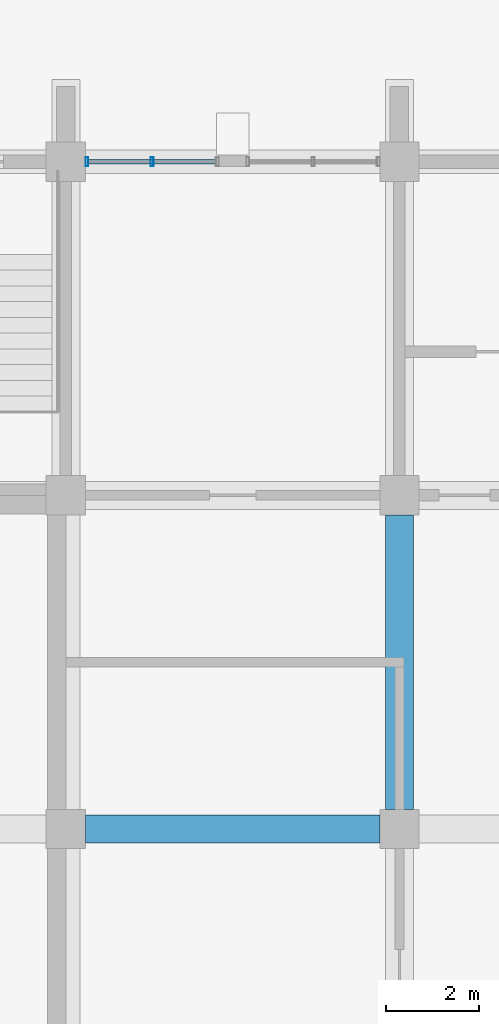
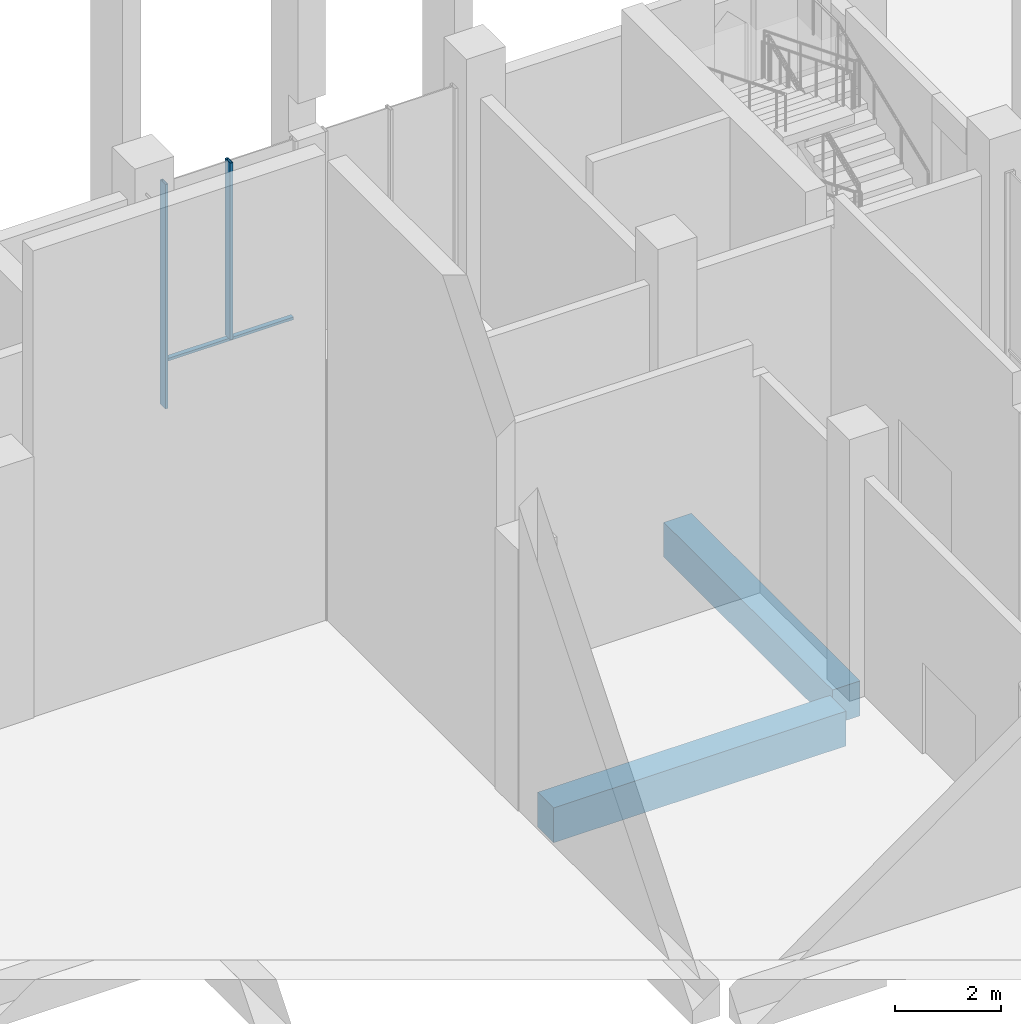
# One storey, part 23 of 50: 3 members, 2 beams, 1 element without a shape of its own.
"""IFC4 building model written with IfcOpenShell, lengths in metres."""

import ifcopenshell
import ifcopenshell.guid

model = None  # the IFC model being written
_history = None  # IfcOwnerHistory: only IFC2X3 demands one
_inside = {}  # id of a spatial element -> (the spatial element, [elements in it])
_under = {}  # id of a project, library or spatial element -> (it, [spatial elements below it])
_declared = {}  # id of a project -> (the project, [libraries it declares])
_typed = {}  # id of a type object -> (the type object, [elements of that type])
_made_of = {}  # id of a material, layer set ... -> (it, [elements and type objects made of it])


def new_model(schema):
    """Start an empty IFC model of exactly this schema.

    Asked for "IFC4X3", IfcOpenShell would pick the latest addendum, in which some entities
    have other attributes; the version numbers below select the first issue.
    IFC2X3 requires an IfcOwnerHistory on every rooted entity: one is made here for all.
    """
    global model, _history
    if schema == "IFC4X3":
        model = ifcopenshell.file(schema_version=(4, 3, 0, 0))
    else:
        model = ifcopenshell.file(schema=schema)
    _inside.clear()
    _under.clear()
    _declared.clear()
    _typed.clear()
    _made_of.clear()
    _history = None
    if model.schema == "IFC2X3":
        org = make("IfcOrganization", Name="unknown")
        user = make(
            "IfcPersonAndOrganization",
            ThePerson=make("IfcPerson", FamilyName="unknown"),
            TheOrganization=org,
        )
        app = make(
            "IfcApplication",
            ApplicationDeveloper=org,
            Version="unknown",
            ApplicationFullName="unknown",
            ApplicationIdentifier="unknown",
        )
        _history = make(
            "IfcOwnerHistory",
            OwningUser=user,
            OwningApplication=app,
            ChangeAction="ADDED",
            CreationDate=0,
        )
    return model


def make(cls, **values):
    """One entity of the class cls with the attributes given. An attribute that is None is left unset."""
    return model.create_entity(
        cls, **{name: value for name, value in values.items() if value is not None}
    )


def rooted(cls, **values):
    """An entity with a GlobalId (a new one), such as an element, a storey or a relation."""
    return make(cls, GlobalId=ifcopenshell.guid.new(), OwnerHistory=_history, **values)


def si_unit(unit_type, name, prefix=None):
    """IfcSIUnit, for example si_unit("LENGTHUNIT", "METRE", prefix="MILLI")."""
    return make("IfcSIUnit", UnitType=unit_type, Prefix=prefix, Name=name)


def assignment(units):
    """IfcUnitAssignment: the units of a project."""
    return None if units is None else make("IfcUnitAssignment", Units=units)


def point(xyz):
    """IfcCartesianPoint."""
    return None if xyz is None else make("IfcCartesianPoint", Coordinates=xyz)


def direction(xyz):
    """IfcDirection."""
    return None if xyz is None else make("IfcDirection", DirectionRatios=xyz)


def frame(location, z_axis=None, x_axis=None):
    """IfcAxis2Placement3D, a coordinate frame: its origin and axes. An axis left out is left unset."""
    return make(
        "IfcAxis2Placement3D",
        Location=point(location),
        Axis=direction(z_axis),
        RefDirection=direction(x_axis),
    )


def frame_2d(location, x_axis=None):
    """IfcAxis2Placement2D, a coordinate frame in the plane: its origin and x axis."""
    return make(
        "IfcAxis2Placement2D", Location=point(location), RefDirection=direction(x_axis)
    )


def origin():
    """The frame at (0, 0, 0) with its axes left unset."""
    return frame((0.0, 0.0, 0.0))


def origin_2d():
    """The frame at (0, 0) in the plane with its x axis left unset."""
    return frame_2d((0.0, 0.0))


def place(relative_to, where):
    """IfcLocalPlacement: puts the frame where relative to a parent placement (None: the world)."""
    return make(
        "IfcLocalPlacement", PlacementRelTo=relative_to, RelativePlacement=where
    )


def context(
    kind, dimensions, precision=None, world=None, true_north=None, identifier=None
):
    """IfcGeometricRepresentationContext, for example the 3D "Model" context."""
    return make(
        "IfcGeometricRepresentationContext",
        ContextIdentifier=identifier,
        ContextType=kind,
        CoordinateSpaceDimension=dimensions,
        Precision=precision,
        WorldCoordinateSystem=world,
        TrueNorth=true_north,
    )


def subcontext(parent, identifier, kind, view, scale=None):
    """IfcGeometricRepresentationSubContext, for example "Body" below "Model"."""
    return make(
        "IfcGeometricRepresentationSubContext",
        ContextIdentifier=identifier,
        ContextType=kind,
        ParentContext=parent,
        TargetScale=scale,
        TargetView=view,
    )


def project(units=None, contexts=None):
    """IfcProject with its units and contexts."""
    return rooted(
        "IfcProject",
        Name="project",
        RepresentationContexts=contexts,
        UnitsInContext=assignment(units),
    )


def spatial(cls, under=None, at=None, **own):
    """A site, building, storey or space (cls), placed at a placement, below another one or the project."""
    s = rooted(cls, ObjectPlacement=at, **own)
    if under is not None:
        _under.setdefault(under.id(), (under, []))[1].append(s)
    return s


def profile(cls, at=None, kind="AREA", **sizes):
    """A parametric profile (cls). Its sizes go by their IFC names, for example OverallWidth=200.0."""
    return make(cls, ProfileType=kind, Position=at, **sizes)


def rectangle(**sizes):
    """IfcRectangleProfileDef."""
    return profile("IfcRectangleProfileDef", **sizes)


def hollow_rectangle(**sizes):
    """IfcRectangleHollowProfileDef."""
    return profile("IfcRectangleHollowProfileDef", **sizes)


def extrude(swept, where, along, depth):
    """IfcExtrudedAreaSolid: the profile swept, set in the frame where, extruded along a direction by depth."""
    return make(
        "IfcExtrudedAreaSolid",
        SweptArea=swept,
        Position=where,
        ExtrudedDirection=direction(along),
        Depth=depth,
    )


def shape(context_of_items, identifier, shape_type, items):
    """IfcShapeRepresentation: the items that make up one representation, for example the "Body"."""
    return make(
        "IfcShapeRepresentation",
        ContextOfItems=context_of_items,
        RepresentationIdentifier=identifier,
        RepresentationType=shape_type,
        Items=items,
    )


def material(Name=None, Category=None):
    """IfcMaterial."""
    return make("IfcMaterial", Name=Name, Category=Category)


def material_profile(
    of_material, cross_section, Name=None, Category=None, Priority=None
):
    """IfcMaterialProfile: a cross section and its material."""
    return make(
        "IfcMaterialProfile",
        Name=Name,
        Material=of_material,
        Profile=cross_section,
        Priority=Priority,
        Category=Category,
    )


def profile_set(profiles, Name=None, composite=None):
    """IfcMaterialProfileSet."""
    return make(
        "IfcMaterialProfileSet",
        Name=Name,
        MaterialProfiles=profiles,
        CompositeProfile=composite,
    )


def made_of(thing, what):
    """Note that an element or type object is made of a material, layer set ...; save() writes the relation."""
    if what is not None:
        _made_of.setdefault(what.id(), (what, []))[1].append(thing)
    return thing


def type_object(cls, material=None, **own):
    """A type object (cls), such as IfcWallType, which elements share."""
    return made_of(rooted(cls, **own), material)


def element(
    cls,
    number,
    at=None,
    inside=None,
    cuts=None,
    type_object=None,
    material=None,
    context=None,
    identifier="Body",
    shape_type=None,
    held_by="IfcProductDefinitionShape",
    body=None,
    shapes=None,
    **own,
):
    """One element of the class cls, such as IfcWall. Its Tag is "e" and its number.

    at: its placement. inside: the storey or other place that contains it. cuts: it is an
    opening in that element (IfcRelVoidsElement). A single representation is given by context,
    identifier, shape_type and body (its items); several are given by shapes. held_by: the class
    of the entity that holds the representations. save() writes the other relations.
    """
    e = rooted(cls, Tag="e%d" % number, ObjectPlacement=at, **own)
    if body is not None:
        shapes = [shape(context, identifier, shape_type, body)]
    if shapes is not None:
        e.Representation = make(held_by, Representations=shapes)
    if inside is not None:
        _inside.setdefault(inside.id(), (inside, []))[1].append(e)
    if cuts is not None:
        rooted(
            "IfcRelVoidsElement", RelatingBuildingElement=cuts, RelatedOpeningElement=e
        )
    if type_object is not None:
        _typed.setdefault(type_object.id(), (type_object, []))[1].append(e)
    return made_of(e, material)


def aggregate(whole, parts):
    """IfcRelAggregates: a whole, such as a stair, and the parts it consists of."""
    return rooted("IfcRelAggregates", RelatingObject=whole, RelatedObjects=parts)


def save(model, path):
    """Write the relations noted so far, then the file.

    IfcRelAggregates (storeys below a building ...), IfcRelContainedInSpatialStructure (elements
    in a storey), IfcRelDefinesByType, IfcRelAssociatesMaterial and IfcRelDeclares: one each for
    every whole, place, type object, material and project.
    """
    for whole, parts in _under.values():
        aggregate(whole, parts)
    for where, things in _inside.values():
        rooted(
            "IfcRelContainedInSpatialStructure",
            RelatedElements=things,
            RelatingStructure=where,
        )
    for kind, things in _typed.values():
        rooted("IfcRelDefinesByType", RelatedObjects=things, RelatingType=kind)
    for what, things in _made_of.values():
        rooted("IfcRelAssociatesMaterial", RelatedObjects=things, RelatingMaterial=what)
    for by, libraries in _declared.values():
        rooted("IfcRelDeclares", RelatingContext=by, RelatedDefinitions=libraries)
    model.write(path)


model = new_model("IFC4")

# Units and contexts
model_context = context("Model", 3, precision=1e-05, world=origin(), true_north=direction((0.0, 1.0)))
body_context = subcontext(model_context, "Body", "Model", "MODEL_VIEW")
ifc_project = project(units=[si_unit("LENGTHUNIT", "METRE"), si_unit("AREAUNIT", "SQUARE_METRE"), si_unit("VOLUMEUNIT", "CUBIC_METRE"), si_unit("PLANEANGLEUNIT", "RADIAN"), si_unit("MASSUNIT", "GRAM", prefix="KILO")], contexts=[model_context])

# Site, building, storey
site_placement = place(None, origin())
site = spatial("IfcSite", under=ifc_project, at=site_placement, CompositionType="ELEMENT")
building_placement = place(site_placement, origin())
building = spatial("IfcBuilding", under=site, at=building_placement, Name="Silangan Lancet Faculty of Sciences", CompositionType="ELEMENT")
storey_placement = place(building_placement, origin())
storey = spatial("IfcBuildingStorey", under=building, at=storey_placement, Name="L00", CompositionType="ELEMENT", Elevation=0.0)

# Beams
ifc_material_1 = material(Name="Concrete C40/50", Category="concrete")
ifc_material_profile_1 = material_profile(ifc_material_1, rectangle(XDim=0.60009765625, YDim=0.800048828125, at=origin_2d()), Name="RC 600x800")
ifc_profile_set_1 = profile_set([ifc_material_profile_1], Name="Concrete C40/50")
beam_type = type_object("IfcBeamType", Name="BEAM RC 600x800", PredefinedType="BEAM", material=ifc_profile_set_1)
beam_1_placement = place(storey_placement, frame((72.425048828125, 43.199951171875, -0.699951171875), z_axis=(1.0, 0.0, 0.0), x_axis=(0.0, 1.0, 0.0)))
element("IfcBeam", 1, at=beam_1_placement, inside=storey, type_object=beam_type, Name="BM-L00-11G-12G", PredefinedType="BEAM", context=body_context, shape_type="SweptSolid", body=[
    extrude(rectangle(XDim=0.60009765625, YDim=0.800048828125, at=origin_2d()), origin(), (0.0, 0.0, 1.0), 6.349853515625),
])
beam_2_placement = place(storey_placement, frame((79.199951171875, 43.625, -0.699951171875), z_axis=(0.0, 1.0, 0.0), x_axis=(-1.0, 0.0, 0.0)))
element("IfcBeam", 2, at=beam_2_placement, inside=storey, type_object=beam_type, Name="BM-L00-12G-12H", PredefinedType="BEAM", context=body_context, shape_type="SweptSolid", body=[
    extrude(rectangle(XDim=0.60009765625, YDim=0.800048828125, at=origin_2d()), origin(), (0.0, 0.0, 1.0), 6.35009765625),
])

# Curtain wall, members
ifc_material_2 = material(Name="Aluminium framed curtain wall with insulated glass", Category="aluminium")
curtain_wall_type = type_object("IfcCurtainWallType", Name="CW1 Commons and east block glazing", PredefinedType="NOTDEFINED", material=ifc_material_2)
curtain_wall_placement = place(storey_placement, origin())
curtain_wall = element("IfcCurtainWall", 3, at=curtain_wall_placement, inside=storey, type_object=curtain_wall_type, Name="CW1 East block north L00 bay 2", PredefinedType="NOTDEFINED")
ifc_material_3 = material(Name="Aluminium 6063-T6 extrusion", Category="aluminium")
ifc_material_profile_2 = material_profile(ifc_material_3, hollow_rectangle(XDim=0.06005859375, YDim=0.199951171875, WallThickness=0.00390625, at=origin_2d()), Name="AL BOX 60x200x4")
ifc_profile_set_2 = profile_set([ifc_material_profile_2], Name="Aluminium 6063-T6 extrusion")
member_type_1 = type_object("IfcMemberType", Name="CM1 Mullion 60x200", PredefinedType="MULLION", material=ifc_profile_set_2)
member_1_placement = place(storey_placement, frame((72.455078125, 57.60009765625, 0.0), z_axis=(0.0, 0.0, 1.0), x_axis=(-1.0, 0.0, 0.0)))
member_1 = element("IfcMember", 4, at=member_1_placement, type_object=member_type_1, Name="CW1 East block north L00 bay 2 mullion 2", PredefinedType="MULLION", context=body_context, shape_type="SweptSolid", body=[
    extrude(hollow_rectangle(XDim=0.06005859375, YDim=0.199951171875, WallThickness=0.00390625, at=origin_2d()), origin(), (0.0, 0.0, 1.0), 5.14990234375),
])
member_2_placement = place(storey_placement, frame((73.862548828125, 57.60009765625, 1.10009765625), z_axis=(0.0, 0.0, 1.0), x_axis=(-1.0, 0.0, 0.0)))
member_2 = element("IfcMember", 5, at=member_2_placement, type_object=member_type_1, Name="CW1 East block north L00 bay 2 mullion 3", PredefinedType="MULLION", context=body_context, shape_type="SweptSolid", body=[
    extrude(hollow_rectangle(XDim=0.06005859375, YDim=0.199951171875, WallThickness=0.00390625, at=origin_2d()), origin(), (0.0, 0.0, 1.0), 4.0498046875),
])
ifc_material_4 = material(Name="Aluminium 6063-T6 extrusion", Category="aluminium")
ifc_material_profile_3 = material_profile(ifc_material_4, hollow_rectangle(XDim=0.10009765625, YDim=0.06005859375, WallThickness=0.0029296875, at=origin_2d()), Name="AL BOX 100x60x3")
ifc_profile_set_3 = profile_set([ifc_material_profile_3], Name="Aluminium 6063-T6 extrusion")
member_type_2 = type_object("IfcMemberType", Name="CT1 Transom 100x60", PredefinedType="USERDEFINED", material=ifc_profile_set_3)
member_3_placement = place(storey_placement, frame((75.239990234375, 57.60009765625, 1.070068359375), z_axis=(-1.0, 0.0, 0.0), x_axis=(0.0, -1.0, 0.0)))
member_3 = element("IfcMember", 6, at=member_3_placement, type_object=member_type_2, Name="CW1 East block north L00 bay 2 transom 1", ObjectType="TRANSOM", PredefinedType="USERDEFINED", context=body_context, shape_type="SweptSolid", body=[
    extrude(hollow_rectangle(XDim=0.10009765625, YDim=0.06005859375, WallThickness=0.0029296875, at=origin_2d()), origin(), (0.0, 0.0, 1.0), 2.7548828125),
])
aggregate(curtain_wall, [member_1, member_2, member_3])

save(model, "model.ifc")
